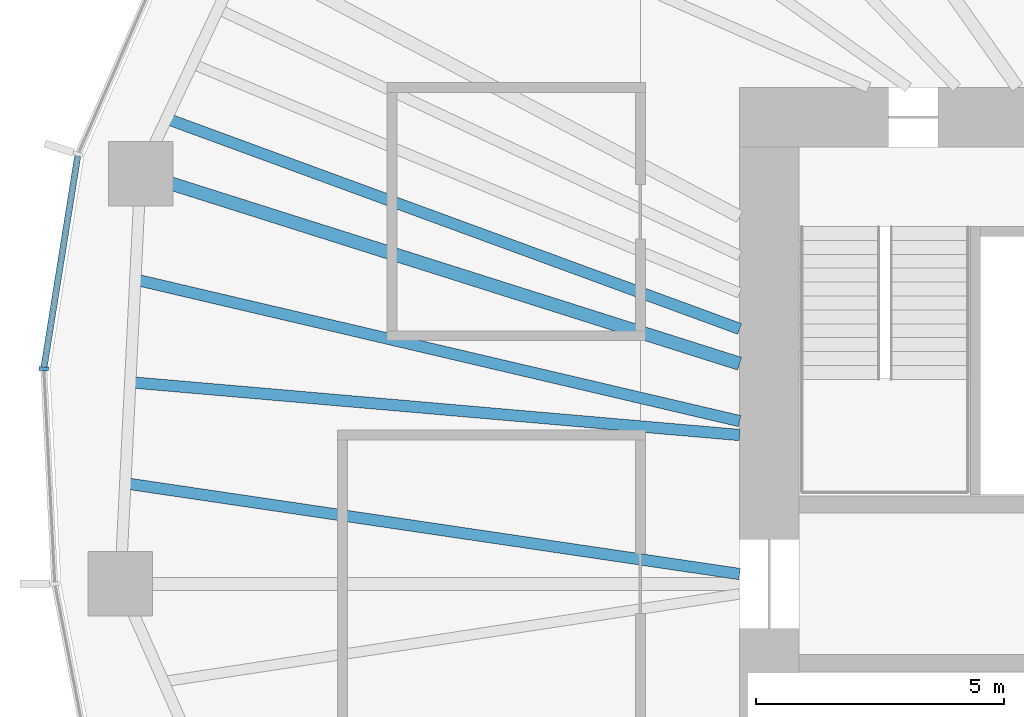
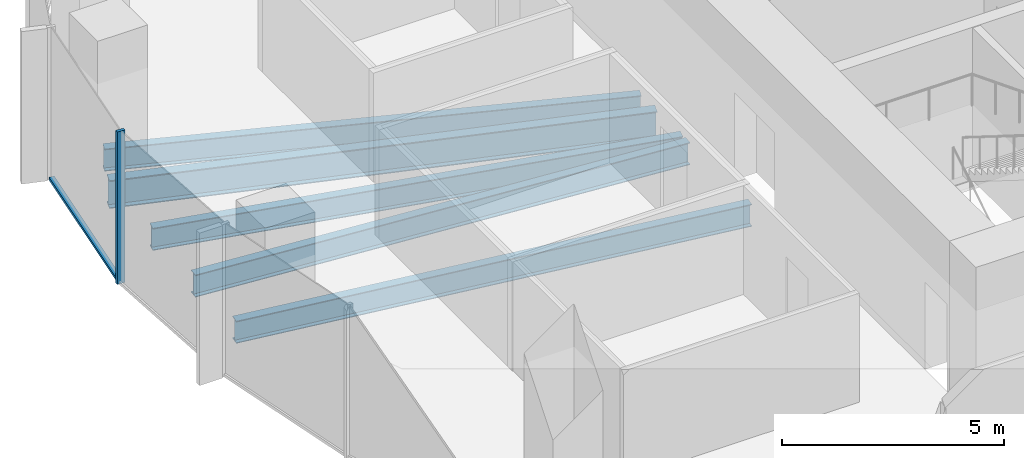
# One storey, part 3 of 11: 5 beams, 2 members, 1 element without a shape of its own.
"""IFC4 building model written with IfcOpenShell, lengths in metres."""

from ifc_helpers import new_model, si_unit, direction, frame, origin, origin_2d, place, context, subcontext, project, spatial, rectangle, i_section, extrude, material, material_profile, profile_set, type_object, element, aggregate, save


model = new_model("IFC4")

# Units and contexts
model_context = context("Model", 3, precision=1e-05, world=origin(), true_north=direction((0.0, 1.0)))
body_context = subcontext(model_context, "Body", "Model", "MODEL_VIEW")
ifc_project = project(units=[si_unit("LENGTHUNIT", "METRE"), si_unit("AREAUNIT", "SQUARE_METRE"), si_unit("VOLUMEUNIT", "CUBIC_METRE"), si_unit("PLANEANGLEUNIT", "RADIAN"), si_unit("MASSUNIT", "GRAM", prefix="KILO")], contexts=[model_context])

# Site, building, storey
site_placement = place(None, origin())
site = spatial("IfcSite", under=ifc_project, at=site_placement, CompositionType="ELEMENT")
building_placement = place(site_placement, origin())
building = spatial("IfcBuilding", under=site, at=building_placement, Name="Ghaith Harvest Tower", CompositionType="ELEMENT")
storey_placement = place(building_placement, frame((0.0, 0.0, 215.800048828125)))
storey = spatial("IfcBuildingStorey", under=building, at=storey_placement, Name="L47", CompositionType="ELEMENT", Elevation=215.800048828125)

# Curtain wall, members
ifc_material_1 = material(Name="Black anodised aluminium and fritted glass", Category="aluminium")
curtain_wall_type = type_object("IfcCurtainWallType", Name="CW-H CURTAIN WALL", PredefinedType="NOTDEFINED", material=ifc_material_1)
curtain_wall_placement = place(storey_placement, origin())
curtain_wall = element("IfcCurtainWall", 1, at=curtain_wall_placement, inside=storey, type_object=curtain_wall_type, Name="Curtain wall CW-H bay 10 L47", PredefinedType="NOTDEFINED")
ifc_material_2 = material(Name="Aluminium, black anodised", Category="aluminium")
ifc_material_profile_1 = material_profile(ifc_material_2, rectangle(XDim=0.080078125, YDim=0.199951171875, at=origin_2d()), Name="CW-H MULLION 80x200")
ifc_profile_set_1 = profile_set([ifc_material_profile_1], Name="Aluminium, black anodised")
member_type_1 = type_object("IfcMemberType", Name="CW-H MULLION 80x200", PredefinedType="MULLION", material=ifc_profile_set_1)
member_1_placement = place(storey_placement, frame((-28.015869140625, 4.333251953125, 0.0), z_axis=(0.0, 0.0, 1.0), x_axis=(-0.054116047044, -0.998534653105, 0.0)))
member_1 = element("IfcMember", 2, at=member_1_placement, type_object=member_type_1, Name="CW-H mullion 2 bay 10 L47", PredefinedType="MULLION", context=body_context, shape_type="SweptSolid", body=[
    extrude(rectangle(XDim=0.080078125, YDim=0.199951171875, at=origin_2d()), origin(), (0.0, 0.0, 1.0), 4.199951171875),
])
ifc_material_3 = material(Name="Aluminium, black anodised", Category="aluminium")
ifc_material_profile_2 = material_profile(ifc_material_3, rectangle(XDim=0.1298828125, YDim=0.080078125, at=origin_2d()), Name="CW-H TRANSOM 130x80")
ifc_profile_set_2 = profile_set([ifc_material_profile_2], Name="Aluminium, black anodised")
member_type_2 = type_object("IfcMemberType", Name="CW-H TRANSOM 130x80", PredefinedType="USERDEFINED", material=ifc_profile_set_2)
member_2_placement = place(storey_placement, frame((-27.33203125, 8.62060546875, 0.0400390625), z_axis=(-0.157492444441, -0.98752019217, 0.0), x_axis=(0.98752019217, -0.157492444441, 0.0)))
member_2 = element("IfcMember", 3, at=member_2_placement, type_object=member_type_2, Name="CW-H transom 1 bay 10 L47", ObjectType="TRANSOM", PredefinedType="USERDEFINED", context=body_context, shape_type="SweptSolid", body=[
    extrude(rectangle(XDim=0.1298828125, YDim=0.080078125, at=origin_2d()), origin(), (0.0, 0.0, 1.0), 4.3017578125),
])
aggregate(curtain_wall, [member_2, member_1])

# Beams
ifc_material_4 = material(Name="Steel ASTM A992 Grade 50", Category="steel")
ifc_material_profile_3 = material_profile(ifc_material_4, i_section(OverallWidth=0.26806640625, OverallDepth=0.77001953125, WebThickness=0.015625, FlangeThickness=0.025390625, at=origin_2d()), Name="W760X196")
ifc_profile_set_3 = profile_set([ifc_material_profile_3], Name="Steel ASTM A992 Grade 50")
beam_type_1 = type_object("IfcBeamType", Name="G760-196 W760X196", PredefinedType="BEAM", material=ifc_profile_set_3)
beam_1_placement = place(storey_placement, frame((-14.0, 4.43701171875, -0.554931640625), z_axis=(-0.953278738841, 0.302092115212, 0.0), x_axis=(-0.302092115212, -0.953278738841, 0.0)))
element("IfcBeam", 4, at=beam_1_placement, inside=storey, type_object=beam_type_1, Name="Radial girder G10 L47", PredefinedType="BEAM", context=body_context, shape_type="SweptSolid", body=[
    extrude(i_section(OverallWidth=0.26806640625, OverallDepth=0.77001953125, WebThickness=0.015625, FlangeThickness=0.025390625, at=origin_2d()), origin(), (0.0, 0.0, 1.0), 12.658203125),
])
ifc_material_5 = material(Name="Steel ASTM A992 Grade 50", Category="steel")
ifc_material_profile_4 = material_profile(ifc_material_5, i_section(OverallWidth=0.22900390625, OverallDepth=0.612060546875, WebThickness=0.011962890625, FlangeThickness=0.01953125, at=origin_2d()), Name="W610X125")
ifc_profile_set_4 = profile_set([ifc_material_profile_4], Name="Steel ASTM A992 Grade 50")
beam_type_2 = type_object("IfcBeamType", Name="J610-125 W610X125", PredefinedType="JOIST", material=ifc_profile_set_4)
beam_2_placement = place(storey_placement, frame((-14.0, 5.137939453125, -0.47607421875), z_axis=(-0.938775301049, 0.344530019216, 0.0), x_axis=(-0.344530019216, -0.938775301049, 0.0)))
element("IfcBeam", 5, at=beam_2_placement, inside=storey, type_object=beam_type_2, Name="Joist J09.3 L47", PredefinedType="JOIST", context=body_context, shape_type="SweptSolid", body=[
    extrude(i_section(OverallWidth=0.22900390625, OverallDepth=0.612060546875, WebThickness=0.011962890625, FlangeThickness=0.01953125, at=origin_2d()), origin(), (0.0, 0.0, 1.0), 12.295166015625),
])
beam_3_placement = place(storey_placement, frame((-14.0, 3.280517578125, -0.47607421875), z_axis=(-0.973621665777, 0.228168472691, 0.0), x_axis=(-0.228168472691, -0.973621665777, 0.0)))
element("IfcBeam", 6, at=beam_3_placement, inside=storey, type_object=beam_type_2, Name="Joist J10.1 L47", PredefinedType="JOIST", context=body_context, shape_type="SweptSolid", body=[
    extrude(i_section(OverallWidth=0.22900390625, OverallDepth=0.612060546875, WebThickness=0.011962890625, FlangeThickness=0.01953125, at=origin_2d()), origin(), (0.0, 0.0, 1.0), 12.501953125),
])
beam_4_placement = place(storey_placement, frame((-14.0, 3.0, -0.47607421875), z_axis=(-0.996265900996, 0.086338024716, 0.0), x_axis=(-0.086338024716, -0.996265900996, 0.0)))
element("IfcBeam", 7, at=beam_4_placement, inside=storey, type_object=beam_type_2, Name="Joist J10.2 L47", PredefinedType="JOIST", context=body_context, shape_type="SweptSolid", body=[
    extrude(i_section(OverallWidth=0.22900390625, OverallDepth=0.612060546875, WebThickness=0.011962890625, FlangeThickness=0.01953125, at=origin_2d()), origin(), (0.0, 0.0, 1.0), 12.3203125),
])
beam_5_placement = place(storey_placement, frame((-14.0, 0.199951171875, -0.47607421875), z_axis=(-0.989269378665, 0.146103033631, 0.0), x_axis=(-0.146103033631, -0.989269378665, 0.0)))
element("IfcBeam", 8, at=beam_5_placement, inside=storey, type_object=beam_type_2, Name="Joist J10.3 L47", PredefinedType="JOIST", context=body_context, shape_type="SweptSolid", body=[
    extrude(i_section(OverallWidth=0.22900390625, OverallDepth=0.612060546875, WebThickness=0.011962890625, FlangeThickness=0.01953125, at=origin_2d()), origin(), (0.0, 0.0, 1.0), 12.50927734375),
])

save(model, "model.ifc")
